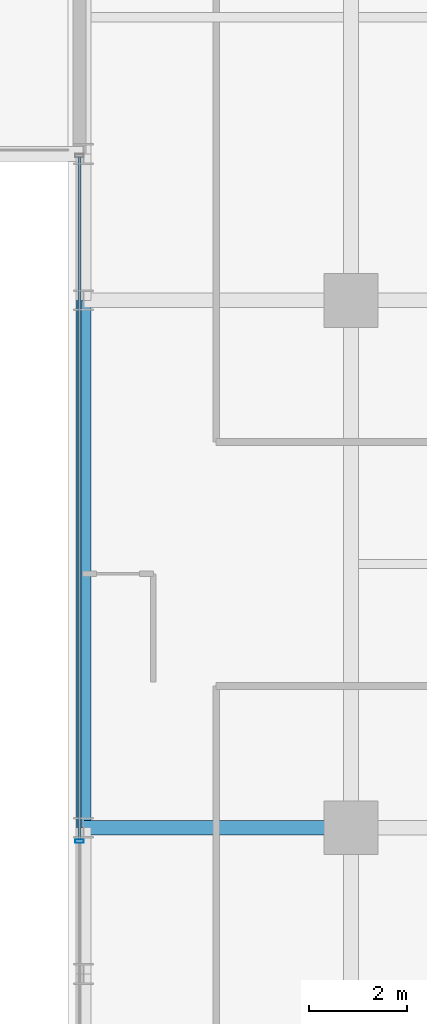
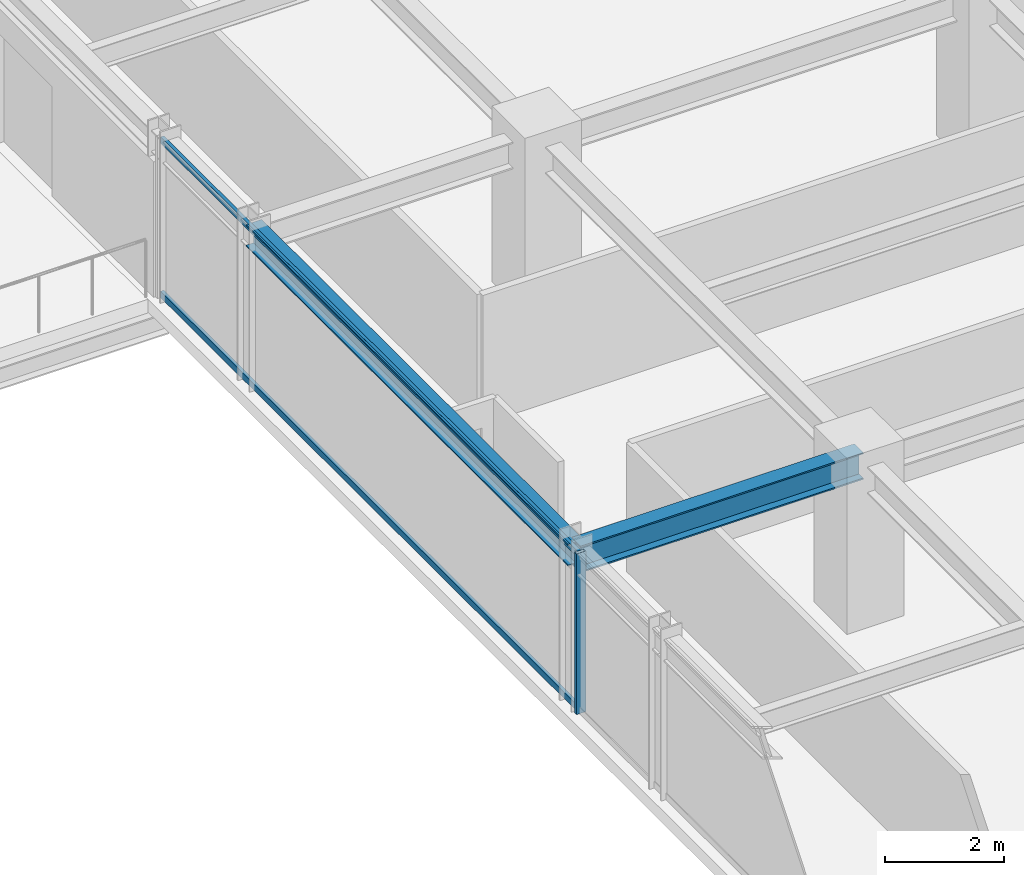
# One storey, part 6 of 32: 3 members, 2 beams, 1 element without a shape of its own.
"""IFC4 building model written with IfcOpenShell, lengths in metres."""

from ifc_helpers import new_model, si_unit, direction, frame, origin, origin_2d, place, context, subcontext, project, spatial, hollow_rectangle, i_section, extrude, source, transform, mapped, material, material_profile, profile_set, type_object, element, aggregate, save


model = new_model("IFC4")

# Units and contexts
model_context = context("Model", 3, precision=1e-05, world=origin(), true_north=direction((0.0, 1.0)))
body_context = subcontext(model_context, "Body", "Model", "MODEL_VIEW")
ifc_project = project(units=[si_unit("LENGTHUNIT", "METRE"), si_unit("AREAUNIT", "SQUARE_METRE"), si_unit("VOLUMEUNIT", "CUBIC_METRE"), si_unit("PLANEANGLEUNIT", "RADIAN"), si_unit("MASSUNIT", "GRAM", prefix="KILO")], contexts=[model_context])

# Site, building, storey
site_placement = place(None, origin())
site = spatial("IfcSite", under=ifc_project, at=site_placement, CompositionType="ELEMENT")
building_placement = place(site_placement, origin())
building = spatial("IfcBuilding", under=site, at=building_placement, Name="Nahalor Promenade Grand Hotel", CompositionType="ELEMENT")
storey_placement = place(building_placement, frame((0.0, 0.0, 196.449951171875)))
storey = spatial("IfcBuildingStorey", under=building, at=storey_placement, Name="L50", CompositionType="ELEMENT", Elevation=196.449951171875)

# Beams
ifc_material_1 = material(Name="Steel S355JR", Category="steel")
ifc_material_profile_1 = material_profile(ifc_material_1, i_section(OverallWidth=0.3, OverallDepth=0.55, WebThickness=0.015, FlangeThickness=0.029, at=origin_2d()), Name="HEB 550")
ifc_profile_set_1 = profile_set([ifc_material_profile_1], Name="Steel S355JR")
beam_type_1 = type_object("IfcBeamType", Name="Beam-Girder-HEB550", PredefinedType="BEAM", material=ifc_profile_set_1)
shared_shape_1 = source(origin(), body_context, "Body", "SweptSolid", [
    extrude(i_section(OverallWidth=0.3, OverallDepth=0.55, WebThickness=0.015, FlangeThickness=0.029, at=origin_2d()), origin(), (0.0, 0.0, 1.0), 5.47998046875),
])
beam_1_placement = place(storey_placement, frame((-22.47998046875, -5.39990234375, 3.01513671875), z_axis=(1.0, 0.0, 0.0), x_axis=(0.0, 1.0, 0.0)))
element("IfcBeam", 1, at=beam_1_placement, inside=storey, type_object=beam_type_1, Name="BM-L50-GX-1-0", PredefinedType="BEAM", context=body_context, shape_type="MappedRepresentation", body=[
    mapped(shared_shape_1, transform((0.0, 0.0, 0.0), scale=1.0)),
])
ifc_material_profile_2 = material_profile(ifc_material_1, i_section(OverallWidth=0.3, OverallDepth=0.45, WebThickness=0.014, FlangeThickness=0.026, at=origin_2d()), Name="HEB 450")
ifc_profile_set_2 = profile_set([ifc_material_profile_2], Name="Steel S355JR")
beam_type_2 = type_object("IfcBeamType", Name="Beam-Spandrel-HEB450", PredefinedType="SPANDREL", material=ifc_profile_set_2)
shared_shape_2 = source(origin(), body_context, "Body", "SweptSolid", [
    extrude(i_section(OverallWidth=0.3, OverallDepth=0.45, WebThickness=0.014, FlangeThickness=0.026, at=origin_2d()), origin(), (0.0, 0.0, 1.0), 10.7998046875),
])
beam_2_placement = place(storey_placement, frame((-22.47998046875, -5.39990234375, 3.06494140625), z_axis=(0.0, 1.0, 0.0), x_axis=(-1.0, 0.0, 0.0)))
element("IfcBeam", 2, at=beam_2_placement, inside=storey, type_object=beam_type_2, Name="BM-L50-SP-W-2", PredefinedType="SPANDREL", context=body_context, shape_type="MappedRepresentation", body=[
    mapped(shared_shape_2, transform((0.0, 0.0, 0.0), scale=1.0)),
])

# Curtain wall, members
ifc_material_2 = material(Name="Anodised Bronze Aluminium EN AW-6063 T6", Category="aluminium")
curtain_wall_type = type_object("IfcCurtainWallType", Name="CW2 Typical Hotel Flush Bronze Unitised Curtain Wall", PredefinedType="USERDEFINED", material=ifc_material_2)
curtain_wall_placement = place(storey_placement, origin())
curtain_wall = element("IfcCurtainWall", 3, at=curtain_wall_placement, inside=storey, type_object=curtain_wall_type, Name="L50 Curtain Wall CW-L50-W-1", ObjectType="UNITISED_CURTAIN_WALL", PredefinedType="USERDEFINED")
ifc_material_profile_3 = material_profile(ifc_material_2, hollow_rectangle(XDim=0.065, YDim=0.13, WallThickness=0.004, at=origin_2d()), Name="CWT 65x130x4")
ifc_profile_set_3 = profile_set([ifc_material_profile_3], Name="Anodised Bronze Aluminium EN AW-6063 T6")
member_type_1 = type_object("IfcMemberType", Name="CWT2 Typical Bronze Transom 65x130", PredefinedType="USERDEFINED", material=ifc_profile_set_3)
shared_shape_3 = source(origin(), body_context, "Body", "SweptSolid", [
    extrude(hollow_rectangle(XDim=0.065, YDim=0.13, WallThickness=0.004, at=origin_2d()), origin(), (0.0, 0.0, 1.0), 13.982421875),
])
member_1_placement = place(storey_placement, frame((-22.56005859375, -5.6474609375, 0.06494140625), z_axis=(0.0, 1.0, 0.0), x_axis=(-1.0, 0.0, 0.0)))
member_1 = element("IfcMember", 4, at=member_1_placement, type_object=member_type_1, Name="CW-L50-W-1 Transom 1-0", ObjectType="TRANSOM", PredefinedType="USERDEFINED", context=body_context, shape_type="MappedRepresentation", body=[
    mapped(shared_shape_3, transform((0.0, 0.0, 0.0), scale=1.0)),
])
member_2_placement = place(storey_placement, frame((-22.56005859375, -5.6474609375, 3.22509765625), z_axis=(0.0, 1.0, 0.0), x_axis=(-1.0, 0.0, 0.0)))
member_2 = element("IfcMember", 5, at=member_2_placement, type_object=member_type_1, Name="CW-L50-W-1 Transom 1-1", ObjectType="TRANSOM", PredefinedType="USERDEFINED", context=body_context, shape_type="MappedRepresentation", body=[
    mapped(shared_shape_3, transform((0.0, 0.0, 0.0), scale=1.0)),
])
ifc_material_profile_4 = material_profile(ifc_material_2, hollow_rectangle(XDim=0.065, YDim=0.18, WallThickness=0.004, at=origin_2d()), Name="CWM 65x180x4")
ifc_profile_set_4 = profile_set([ifc_material_profile_4], Name="Anodised Bronze Aluminium EN AW-6063 T6")
member_type_2 = type_object("IfcMemberType", Name="CWM2 Typical Bronze Mullion 65x180", PredefinedType="MULLION", material=ifc_profile_set_4)
shared_shape_4 = source(origin(), body_context, "Body", "SweptSolid", [
    extrude(hollow_rectangle(XDim=0.065, YDim=0.18, WallThickness=0.004, at=origin_2d()), origin(), (0.0, 0.0, 1.0), 3.2900390625),
])
member_3_placement = place(storey_placement, frame((-22.56005859375, -5.679931640625, 0.0), z_axis=(0.0, 0.0, 1.0), x_axis=(0.0, 1.0, 0.0)))
member_3 = element("IfcMember", 6, at=member_3_placement, type_object=member_type_2, Name="CW-L50-W-1 Mullion 1", PredefinedType="MULLION", context=body_context, shape_type="MappedRepresentation", body=[
    mapped(shared_shape_4, transform((0.0, 0.0, 0.0), scale=1.0)),
])
aggregate(curtain_wall, [member_3, member_1, member_2])

save(model, "model.ifc")
